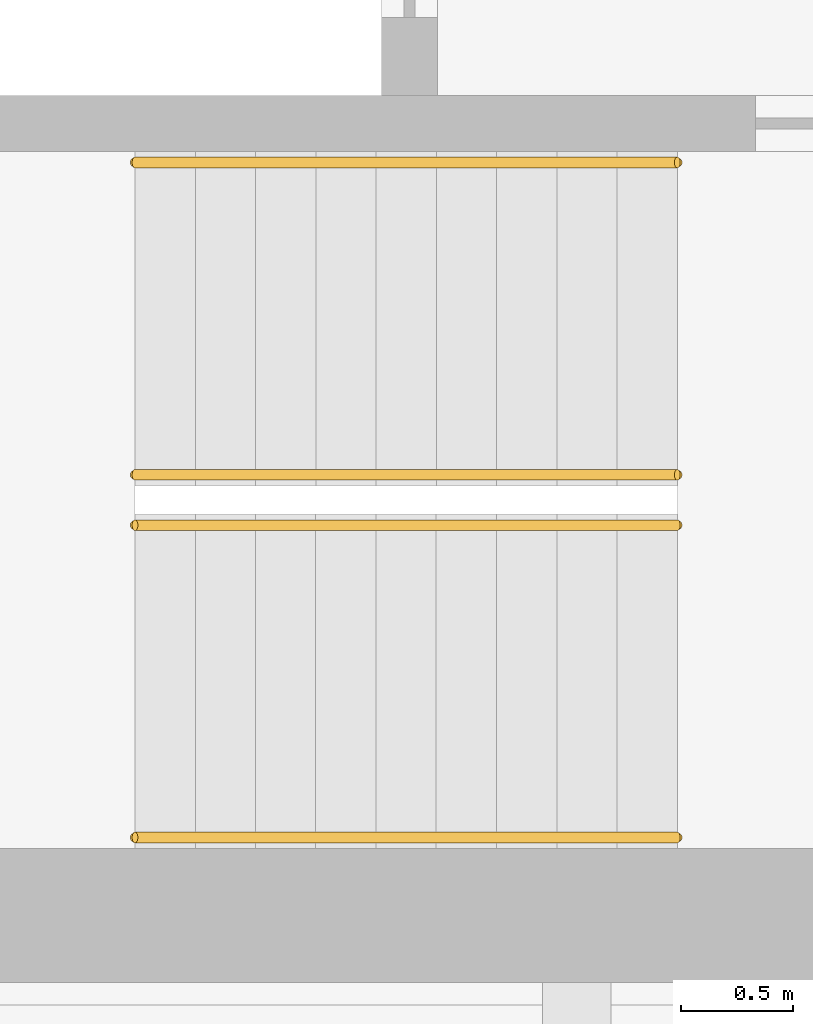
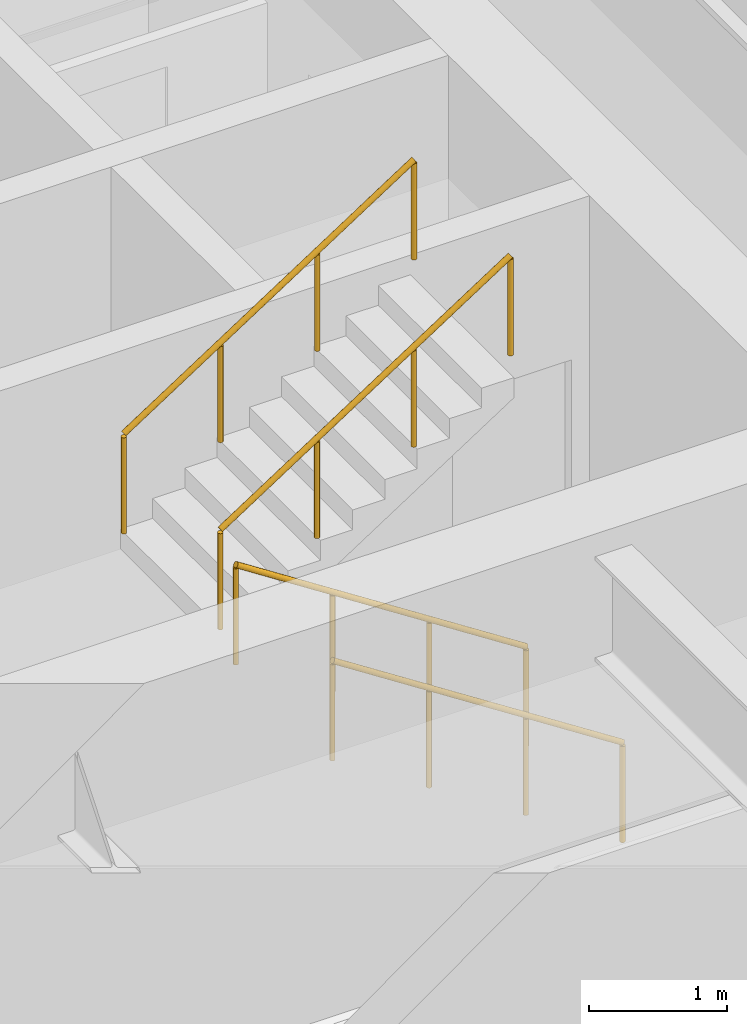
# One storey, part 16 of 20: 4 railings.
"""IFC4 building model written with IfcOpenShell, lengths in metres."""

from ifc_helpers import new_model, si_unit, direction, frame, origin, origin_2d, place, context, subcontext, project, spatial, circle, extrude, material, type_object, element, save


model = new_model("IFC4")

# Units and contexts
model_context = context("Model", 3, precision=1e-05, world=origin(), true_north=direction((0.0, 1.0)))
body_context = subcontext(model_context, "Body", "Model", "MODEL_VIEW")
ifc_project = project(units=[si_unit("LENGTHUNIT", "METRE"), si_unit("AREAUNIT", "SQUARE_METRE"), si_unit("VOLUMEUNIT", "CUBIC_METRE"), si_unit("PLANEANGLEUNIT", "RADIAN"), si_unit("MASSUNIT", "GRAM", prefix="KILO")], contexts=[model_context])

# Site, building, storey
site_placement = place(None, origin())
site = spatial("IfcSite", under=ifc_project, at=site_placement, CompositionType="ELEMENT")
building_placement = place(site_placement, origin())
building = spatial("IfcBuilding", under=site, at=building_placement, Name="Msasa Ring Tower", CompositionType="ELEMENT")
storey_placement = place(building_placement, frame((0.0, 0.0, 65.0)))
storey = spatial("IfcBuildingStorey", under=building, at=storey_placement, Name="L16", CompositionType="ELEMENT", Elevation=65.0)

# Railings
ifc_material = material(Name="Stainless steel", Category="steel")
railing_type = type_object("IfcRailingType", Name="HR1 HANDRAIL 900", PredefinedType="HANDRAIL", material=ifc_material)
for number, where, name in (
    (1, (-10.800048828125, -6.39990234375, 0.175048828125), "Handrail stair SWA L16 1"),
    (2, (-10.800048828125, -5.0, 0.175048828125), "Handrail stair SWA L16 2"),
):
    element("IfcRailing", number, at=place(storey_placement, frame(where)), inside=storey, type_object=railing_type, Name=name, PredefinedType="HANDRAIL", context=body_context, shape_type="SweptSolid", body=[
        extrude(circle(Radius=0.02392578125, at=origin_2d()), frame((0.0, 0.0, 0.8759765625), z_axis=(-0.839153699163, 0.0, 0.543894354798), x_axis=(0.0, -1.0, 0.0)), (0.0, 0.0, 1.0), 2.895751953125),
        extrude(circle(Radius=0.02099609375, at=origin_2d()), origin(), (0.0, 0.0, 1.0), 0.851806640625),
        extrude(circle(Radius=0.02099609375, at=origin_2d()), frame((-0.81005859375, 0.0, 0.52490234375)), (0.0, 0.0, 1.0), 0.851806640625),
        extrude(circle(Radius=0.02099609375, at=origin_2d()), frame((-1.619873046875, 0.0, 1.050048828125)), (0.0, 0.0, 1.0), 0.851806640625),
        extrude(circle(Radius=0.02099609375, at=origin_2d()), frame((-2.429931640625, 0.0, 1.574951171875)), (0.0, 0.0, 1.0), 0.851806640625),
    ])
for number, where, name in (
    (3, (-13.22998046875, -4.77490234375, 1.925048828125), "Handrail stair SWA L16 3"),
    (4, (-13.22998046875, -3.375, 1.925048828125), "Handrail stair SWA L16 4"),
):
    element("IfcRailing", number, at=place(storey_placement, frame(where)), inside=storey, type_object=railing_type, Name=name, PredefinedType="HANDRAIL", context=body_context, shape_type="SweptSolid", body=[
        extrude(circle(Radius=0.02392578125, at=origin_2d()), frame((0.0, 0.0, 0.8759765625), z_axis=(0.839153699163, 0.0, 0.543894354798), x_axis=(0.0, 1.0, 0.0)), (0.0, 0.0, 1.0), 2.895751953125),
        extrude(circle(Radius=0.02099609375, at=origin_2d()), origin(), (0.0, 0.0, 1.0), 0.851806640625),
        extrude(circle(Radius=0.02099609375, at=origin_2d()), frame((0.81005859375, 0.0, 0.52490234375)), (0.0, 0.0, 1.0), 0.851806640625),
        extrude(circle(Radius=0.02099609375, at=origin_2d()), frame((1.619873046875, 0.0, 1.050048828125)), (0.0, 0.0, 1.0), 0.851806640625),
        extrude(circle(Radius=0.02099609375, at=origin_2d()), frame((2.429931640625, 0.0, 1.574951171875)), (0.0, 0.0, 1.0), 0.851806640625),
    ])

save(model, "model.ifc")
